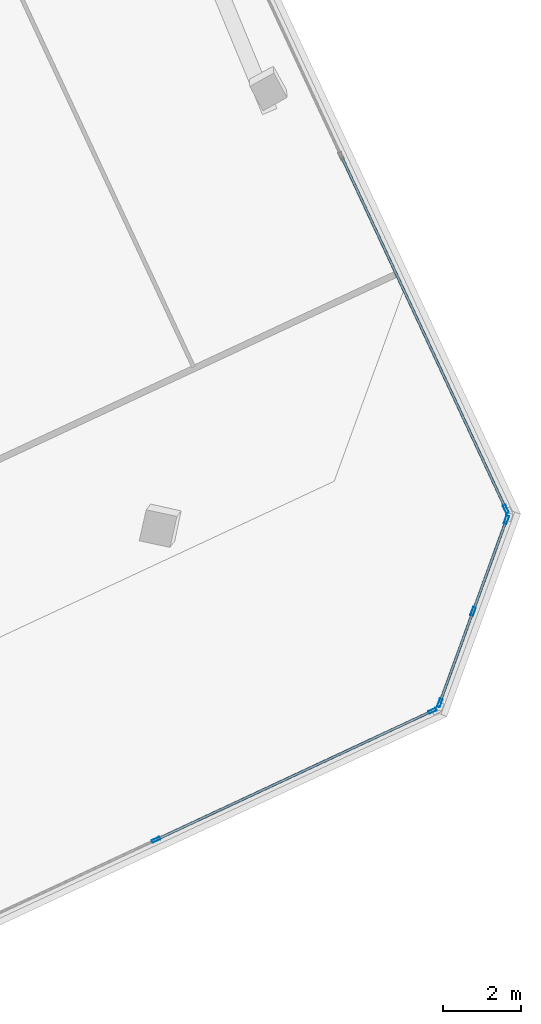
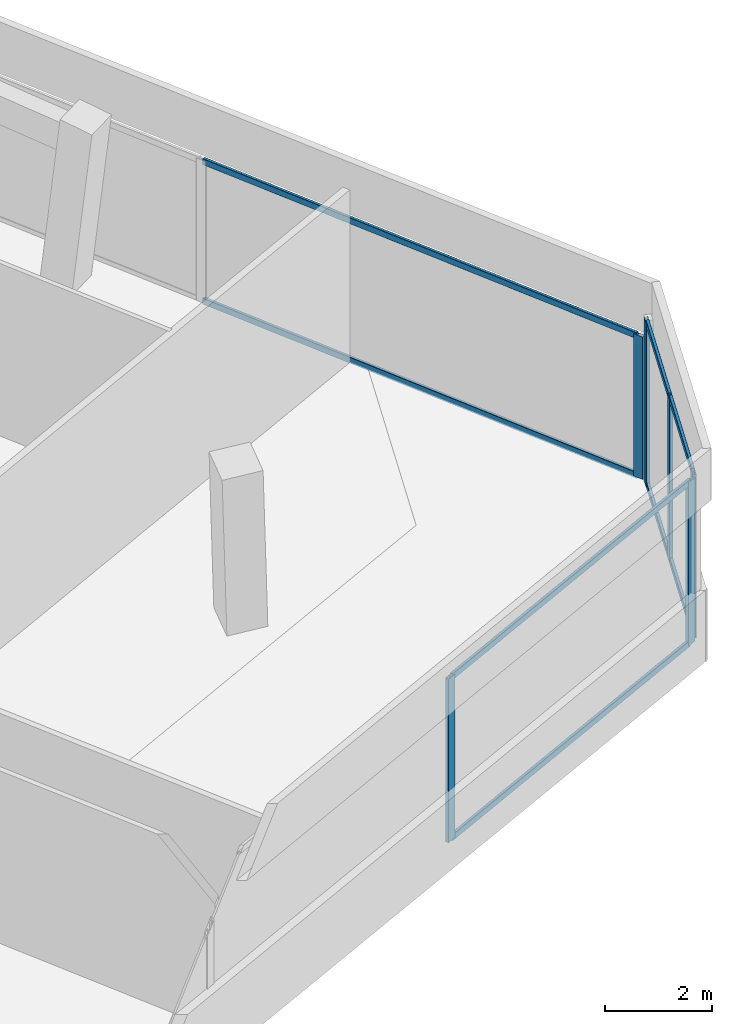
# One storey, part 6 of 16: 14 members, 3 elements without a shape of their own.
"""IFC4 building model written with IfcOpenShell, lengths in metres."""

from ifc_helpers import new_model, si_unit, direction, frame, origin, origin_2d, place, context, subcontext, project, spatial, hollow_rectangle, extrude, source, transform, mapped, material, material_profile, profile_set, type_object, element, aggregate, save


model = new_model("IFC4")

# Units and contexts
model_context = context("Model", 3, precision=1e-05, world=origin(), true_north=direction((0.0, 1.0)))
body_context = subcontext(model_context, "Body", "Model", "MODEL_VIEW")
ifc_project = project(units=[si_unit("LENGTHUNIT", "METRE"), si_unit("AREAUNIT", "SQUARE_METRE"), si_unit("VOLUMEUNIT", "CUBIC_METRE"), si_unit("PLANEANGLEUNIT", "RADIAN"), si_unit("MASSUNIT", "GRAM", prefix="KILO")], contexts=[model_context])

# Site, building, storey
site_placement = place(None, origin())
site = spatial("IfcSite", under=ifc_project, at=site_placement, CompositionType="ELEMENT")
building_placement = place(site_placement, origin())
building = spatial("IfcBuilding", under=site, at=building_placement, Name="Torre Montelarca", CompositionType="ELEMENT")
storey_placement = place(building_placement, frame((0.0, 0.0, 345.0)))
storey = spatial("IfcBuildingStorey", under=building, at=storey_placement, Name="L78", CompositionType="ELEMENT", Elevation=345.0)

# Curtain wall, members
ifc_material_1 = material(Name="Insulated low-E laminated glass", Category="glass")
curtain_wall_type = type_object("IfcCurtainWallType", Name="CW-SYS-Z4", PredefinedType="USERDEFINED", material=ifc_material_1)
curtain_wall_1_placement = place(storey_placement, origin())
curtain_wall_1 = element("IfcCurtainWall", 1, at=curtain_wall_1_placement, inside=storey, type_object=curtain_wall_type, Name="L78 Curtain Wall Run CW-T3-L78-E06-B1", ObjectType="UNITISED GLAZING", PredefinedType="USERDEFINED")
ifc_material_2 = material(Name="Anodised aluminium AA 6063-T6", Category="aluminium")
ifc_material_profile_1 = material_profile(ifc_material_2, hollow_rectangle(XDim=0.074951171875, YDim=0.219970703125, WallThickness=0.0048828125, InnerFilletRadius=0.0048828125, OuterFilletRadius=0.010009765625, at=origin_2d()), Name="ALU75X220X5", Category="aluminium")
ifc_profile_set_1 = profile_set([ifc_material_profile_1], Name="Anodised aluminium AA 6063-T6")
member_type_1 = type_object("IfcMemberType", Name="CWM-ALU220", PredefinedType="MULLION", material=ifc_profile_set_1)
shared_shape_1 = source(origin(), body_context, "Body", "SweptSolid", [
    extrude(hollow_rectangle(XDim=0.074951171875, YDim=0.219970703125, WallThickness=0.0048828125, InnerFilletRadius=0.0048828125, OuterFilletRadius=0.010009765625, at=origin_2d()), origin(), (0.0, 0.0, 1.0), 3.719970703125),
])
member_1_placement = place(storey_placement, frame((34.698486328125, 14.134033203125, 0.0), z_axis=(0.0, 0.0, 1.0), x_axis=(-0.422612053903, 0.906310681773, 0.0)))
member_1 = element("IfcMember", 2, at=member_1_placement, type_object=member_type_1, Name="CW mullion 3", PredefinedType="MULLION", context=body_context, shape_type="MappedRepresentation", body=[
    mapped(shared_shape_1, transform((0.0, 0.0, 0.0), scale=1.0)),
])
member_2_placement = place(storey_placement, frame((41.75439453125, 17.424072265625, 0.0), z_axis=(0.0, 0.0, 1.0), x_axis=(-0.422612053903, 0.906310681773, 0.0)))
member_2 = element("IfcMember", 3, at=member_2_placement, type_object=member_type_1, Name="CW mullion 4", PredefinedType="MULLION", context=body_context, shape_type="MappedRepresentation", body=[
    mapped(shared_shape_1, transform((0.0, 0.0, 0.0), scale=1.0)),
])

curtain_wall_2_placement = place(storey_placement, origin())
curtain_wall_2 = element("IfcCurtainWall", 4, at=curtain_wall_2_placement, inside=storey, type_object=curtain_wall_type, Name="L78 Curtain Wall Run CW-T3-L78-E07-B1", ObjectType="UNITISED GLAZING", PredefinedType="USERDEFINED")
member_3_placement = place(storey_placement, frame((41.94091796875, 17.6279296875, 0.0), z_axis=(0.0, 0.0, 1.0), x_axis=(-0.939694365175, 0.342015350618, 0.0)))
member_3 = element("IfcMember", 5, at=member_3_placement, type_object=member_type_1, Name="CW mullion 1", PredefinedType="MULLION", context=body_context, shape_type="MappedRepresentation", body=[
    mapped(shared_shape_1, transform((0.0, 0.0, 0.0), scale=1.0)),
])
member_4_placement = place(storey_placement, frame((42.79052734375, 19.961669921875, 0.0), z_axis=(0.0, 0.0, 1.0), x_axis=(-0.939694365175, 0.342015350618, 0.0)))
member_4 = element("IfcMember", 6, at=member_4_placement, type_object=member_type_1, Name="CW mullion 2", PredefinedType="MULLION", context=body_context, shape_type="MappedRepresentation", body=[
    mapped(shared_shape_1, transform((0.0, 0.0, 0.0), scale=1.0)),
])
member_5_placement = place(storey_placement, frame((43.639892578125, 22.295654296875, 0.0), z_axis=(0.0, 0.0, 1.0), x_axis=(-0.939694365175, 0.342015350618, 0.0)))
member_5 = element("IfcMember", 7, at=member_5_placement, type_object=member_type_1, Name="CW mullion 3", PredefinedType="MULLION", context=body_context, shape_type="MappedRepresentation", body=[
    mapped(shared_shape_1, transform((0.0, 0.0, 0.0), scale=1.0)),
])
ifc_material_profile_2 = material_profile(ifc_material_2, hollow_rectangle(XDim=0.06494140625, YDim=0.139892578125, WallThickness=0.00390625, InnerFilletRadius=0.00390625, OuterFilletRadius=0.008056640625, at=origin_2d()), Name="ALU65X140X4", Category="aluminium")
ifc_profile_set_2 = profile_set([ifc_material_profile_2], Name="Anodised aluminium AA 6063-T6")
member_type_2 = type_object("IfcMemberType", Name="CWT-ALU140", PredefinedType="USERDEFINED", material=ifc_profile_set_2)
shared_shape_2 = source(origin(), body_context, "Body", "SweptSolid", [
    extrude(hollow_rectangle(XDim=0.06494140625, YDim=0.139892578125, WallThickness=0.00390625, InnerFilletRadius=0.00390625, OuterFilletRadius=0.008056640625, at=origin_2d()), origin(), (0.0, 0.0, 1.0), 2.40869140625),
])
member_6_placement = place(storey_placement, frame((41.953857421875, 17.6630859375, 0.032470703125), z_axis=(0.341987202353, 0.939704609666, 0.0), x_axis=(-0.939704609666, 0.341987202353, 0.0)))
member_6 = element("IfcMember", 8, at=member_6_placement, type_object=member_type_2, Name="CW transom 1.1", ObjectType="TRANSOM", PredefinedType="USERDEFINED", context=body_context, shape_type="MappedRepresentation", body=[
    mapped(shared_shape_2, transform((0.0, 0.0, 0.0), scale=1.0)),
])
member_7_placement = place(storey_placement, frame((41.953857421875, 17.6630859375, 3.6875), z_axis=(0.341987202353, 0.939704609666, 0.0), x_axis=(-0.939704609666, 0.341987202353, 0.0)))
member_7 = element("IfcMember", 9, at=member_7_placement, type_object=member_type_2, Name="CW transom 1.2", ObjectType="TRANSOM", PredefinedType="USERDEFINED", context=body_context, shape_type="MappedRepresentation", body=[
    mapped(shared_shape_2, transform((0.0, 0.0, 0.0), scale=1.0)),
])
shared_shape_3 = source(origin(), body_context, "Body", "SweptSolid", [
    extrude(hollow_rectangle(XDim=0.06494140625, YDim=0.139892578125, WallThickness=0.00390625, InnerFilletRadius=0.00390625, OuterFilletRadius=0.008056640625, at=origin_2d()), origin(), (0.0, 0.0, 1.0), 2.408447265625),
])
member_8_placement = place(storey_placement, frame((42.80322265625, 19.9970703125, 0.032470703125), z_axis=(0.342019778867, 0.939692753438, 0.0), x_axis=(-0.939692753438, 0.342019778867, 0.0)))
member_8 = element("IfcMember", 10, at=member_8_placement, type_object=member_type_2, Name="CW transom 2.1", ObjectType="TRANSOM", PredefinedType="USERDEFINED", context=body_context, shape_type="MappedRepresentation", body=[
    mapped(shared_shape_3, transform((0.0, 0.0, 0.0), scale=1.0)),
])
member_9_placement = place(storey_placement, frame((42.80322265625, 19.9970703125, 3.6875), z_axis=(0.342019778867, 0.939692753438, 0.0), x_axis=(-0.939692753438, 0.342019778867, 0.0)))
member_9 = element("IfcMember", 11, at=member_9_placement, type_object=member_type_2, Name="CW transom 2.2", ObjectType="TRANSOM", PredefinedType="USERDEFINED", context=body_context, shape_type="MappedRepresentation", body=[
    mapped(shared_shape_3, transform((0.0, 0.0, 0.0), scale=1.0)),
])
aggregate(curtain_wall_2, [member_3, member_4, member_5, member_6, member_7, member_8, member_9])

# Member
shared_shape_4 = source(origin(), body_context, "Body", "SweptSolid", [
    extrude(hollow_rectangle(XDim=0.06494140625, YDim=0.139892578125, WallThickness=0.00390625, InnerFilletRadius=0.00390625, OuterFilletRadius=0.008056640625, at=origin_2d()), origin(), (0.0, 0.0, 1.0), 7.71044921875),
])
member_10_placement = place(storey_placement, frame((34.732421875, 14.14990234375, 0.032470703125), z_axis=(0.906321419701, 0.422589025166, 0.0), x_axis=(-0.422589025166, 0.906321419701, 0.0)))
member_10 = element("IfcMember", 12, at=member_10_placement, type_object=member_type_2, Name="CW transom 3.1", ObjectType="TRANSOM", PredefinedType="USERDEFINED", context=body_context, shape_type="MappedRepresentation", body=[
    mapped(shared_shape_4, transform((0.0, 0.0, 0.0), scale=1.0)),
])

member_11_placement = place(storey_placement, frame((34.732421875, 14.14990234375, 3.6875), z_axis=(0.906321419701, 0.422589025166, 0.0), x_axis=(-0.422589025166, 0.906321419701, 0.0)))
member_11 = element("IfcMember", 13, at=member_11_placement, type_object=member_type_2, Name="CW transom 3.2", ObjectType="TRANSOM", PredefinedType="USERDEFINED", context=body_context, shape_type="MappedRepresentation", body=[
    mapped(shared_shape_4, transform((0.0, 0.0, 0.0), scale=1.0)),
])

aggregate(curtain_wall_1, [member_1, member_2, member_10, member_11])

# Curtain wall, members
curtain_wall_3_placement = place(storey_placement, origin())
curtain_wall_3 = element("IfcCurtainWall", 14, at=curtain_wall_3_placement, inside=storey, type_object=curtain_wall_type, Name="L78 Curtain Wall Run CW-T3-L78-E08-B1", ObjectType="UNITISED GLAZING", PredefinedType="USERDEFINED")
shared_shape_5 = source(origin(), body_context, "Body", "SweptSolid", [
    extrude(hollow_rectangle(XDim=0.074951171875, YDim=0.219970703125, WallThickness=0.0048828125, InnerFilletRadius=0.0048828125, OuterFilletRadius=0.010009765625, at=origin_2d()), origin(), (0.0, 0.0, 1.0), 3.235107421875),
])
member_12_placement = place(storey_placement, frame((43.627685546875, 22.571533203125, 0.0), z_axis=(0.0, 0.0, 1.0), x_axis=(-0.906309172105, -0.42261529144, 0.0)))
member_12 = element("IfcMember", 15, at=member_12_placement, type_object=member_type_1, Name="CW mullion 1", PredefinedType="MULLION", context=body_context, shape_type="MappedRepresentation", body=[
    mapped(shared_shape_5, transform((0.0, 0.0, 0.0), scale=1.0)),
])
shared_shape_6 = source(origin(), body_context, "Body", "SweptSolid", [
    extrude(hollow_rectangle(XDim=0.06494140625, YDim=0.139892578125, WallThickness=0.00390625, InnerFilletRadius=0.00390625, OuterFilletRadius=0.008056640625, at=origin_2d()), origin(), (0.0, 0.0, 1.0), 9.857666015625),
])
member_13_placement = place(storey_placement, frame((43.61181640625, 22.60546875, 0.032470703125), z_axis=(-0.422596648, 0.906317865376, 0.0), x_axis=(-0.906317865376, -0.422596648, 0.0)))
member_13 = element("IfcMember", 16, at=member_13_placement, type_object=member_type_2, Name="CW transom 1.1", ObjectType="TRANSOM", PredefinedType="USERDEFINED", context=body_context, shape_type="MappedRepresentation", body=[
    mapped(shared_shape_6, transform((0.0, 0.0, 0.0), scale=1.0)),
])
member_14_placement = place(storey_placement, frame((43.61181640625, 22.60546875, 3.202392578125), z_axis=(-0.422596648, 0.906317865376, 0.0), x_axis=(-0.906317865376, -0.422596648, 0.0)))
member_14 = element("IfcMember", 17, at=member_14_placement, type_object=member_type_2, Name="CW transom 1.2", ObjectType="TRANSOM", PredefinedType="USERDEFINED", context=body_context, shape_type="MappedRepresentation", body=[
    mapped(shared_shape_6, transform((0.0, 0.0, 0.0), scale=1.0)),
])
aggregate(curtain_wall_3, [member_12, member_13, member_14])

save(model, "model.ifc")
